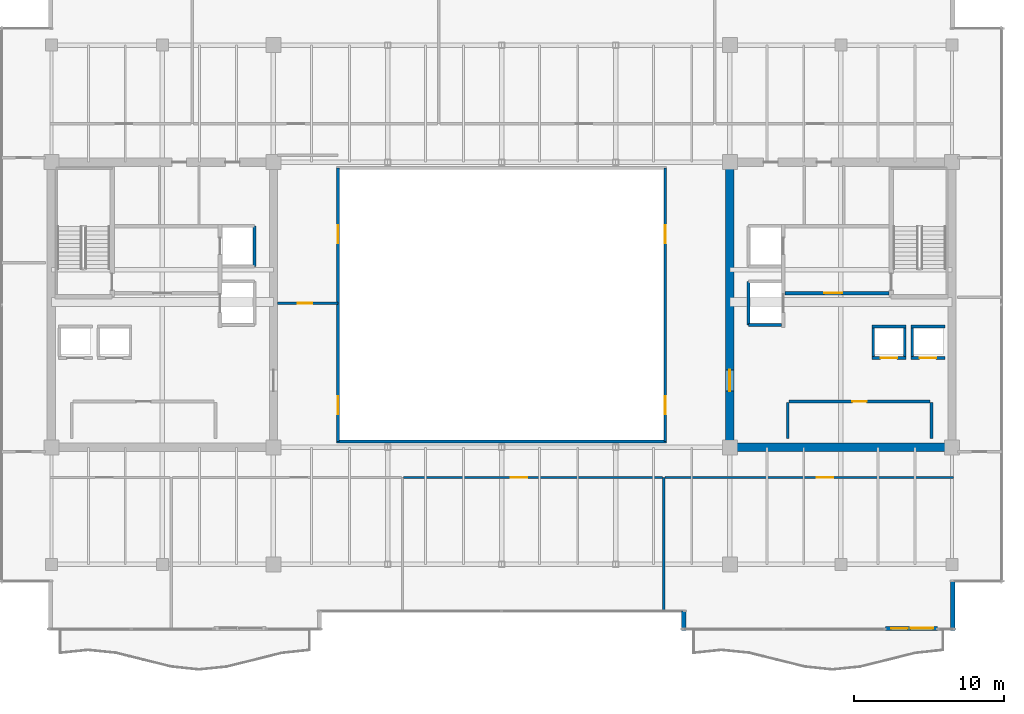
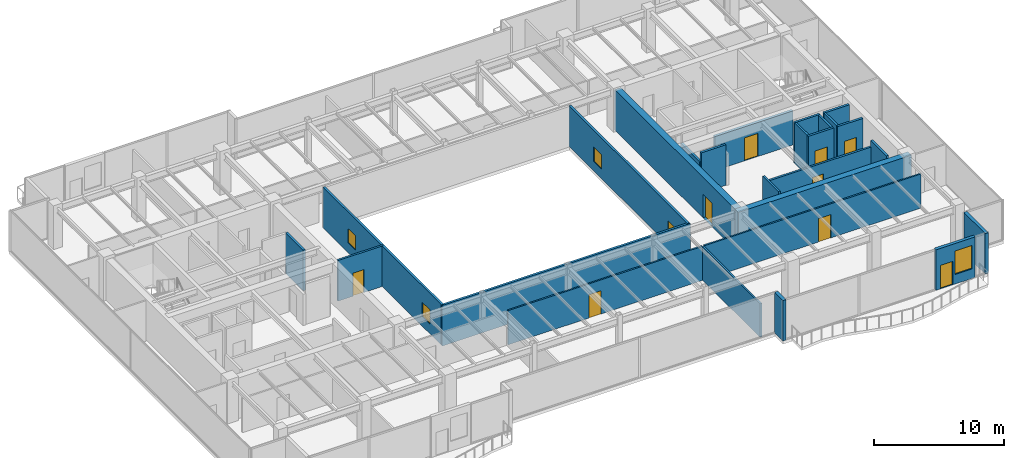
# One storey, part 29 of 34: 26 walls, 9 doors, 5 windows, 14 openings.
"""IFC4 building model written with IfcOpenShell, lengths in metres."""

from ifc_helpers import new_model, si_unit, direction, frame, frame_2d, origin, place, context, subcontext, project, spatial, rectangle, extrude, source, transform, mapped, material, layer, layer_set, type_object, type_shapes, element, fill, save


model = new_model("IFC4")

# Units and contexts
model_context = context("Model", 3, precision=1e-05, world=origin(), true_north=direction((0.0, 1.0)))
body_context = subcontext(model_context, "Body", "Model", "MODEL_VIEW")
ifc_project = project(units=[si_unit("LENGTHUNIT", "METRE"), si_unit("AREAUNIT", "SQUARE_METRE"), si_unit("VOLUMEUNIT", "CUBIC_METRE"), si_unit("PLANEANGLEUNIT", "RADIAN"), si_unit("MASSUNIT", "GRAM", prefix="KILO")], contexts=[model_context])

# Site, building, storey
site_placement = place(None, origin())
site = spatial("IfcSite", under=ifc_project, at=site_placement, CompositionType="ELEMENT")
building_placement = place(site_placement, origin())
building = spatial("IfcBuilding", under=site, at=building_placement, Name="Haelvirn Gate Laboratories", CompositionType="ELEMENT")
storey_placement = place(building_placement, frame((0.0, 0.0, 246.5)))
storey = spatial("IfcBuildingStorey", under=building, at=storey_placement, Name="L59", CompositionType="ELEMENT", Elevation=246.5)

# Wall, openings, door, window
ifc_material_1 = material(Name="Thermally-broken bronze aluminium rainscreen & mineral wool", Category="aluminium")
ifc_layer_1 = layer(ifc_material_1, 0.280029296875, Name="EW-TERR-280")
ifc_layer_set_1 = layer_set([ifc_layer_1], Name="Thermally-broken bronze aluminium rainscreen & mineral wool")
wall_type_1 = type_object("IfcWallType", Name="EW-TERR-280", PredefinedType="STANDARD", material=ifc_layer_set_1)
wall_1_placement = place(storey_placement, frame((62.971923828125, 2.739990234375, 0.0), z_axis=(0.0, 0.0, 1.0), x_axis=(1.0, 0.0, 0.0)))
wall_1 = element("IfcWall", 1, at=wall_1_placement, inside=storey, type_object=wall_type_1, Name="L59 Terrace Access Wall WB-EL-S", PredefinedType="STANDARD", context=body_context, shape_type="SweptSolid", body=[
    extrude(rectangle(XDim=3.4560546875, YDim=0.280029296875, at=frame_2d((1.72802734375, 0.0))), origin(), (0.0, 0.0, 1.0), 3.800048828125),
])
opening_1_placement = place(wall_1_placement, frame((0.3779296875, 0.0, 0.0)))
opening_1 = element("IfcOpeningElement", 2, at=opening_1_placement, cuts=wall_1, Name="Opening TD1", PredefinedType="OPENING", context=body_context, shape_type="SweptSolid", body=[
    extrude(rectangle(XDim=1.10009765625, YDim=2.199951171875, at=frame_2d((0.550048828125, 1.10009765625))), frame((0.0, 0.14990234375, 0.0), z_axis=(0.0, -1.0, 0.0), x_axis=(1.0, 0.0, 0.0)), (0.0, 0.0, 1.0), 0.300048828125),
])
opening_2_placement = place(wall_1_placement, frame((1.677978515625, 0.0, 0.89990234375)))
opening_2 = element("IfcOpeningElement", 3, at=opening_2_placement, cuts=wall_1, Name="Opening W3", PredefinedType="OPENING", context=body_context, shape_type="SweptSolid", body=[
    extrude(rectangle(XDim=1.5, YDim=2.199951171875, at=frame_2d((0.75, 1.10009765625))), frame((0.0, 0.14990234375, 0.0), z_axis=(0.0, -1.0, 0.0), x_axis=(1.0, 0.0, 0.0)), (0.0, 0.0, 1.0), 0.300048828125),
])
ifc_material_2 = material(Name="Thermally-broken bronze aluminium glazed terrace door", Category="aluminium")
door_type_1 = type_object("IfcDoorType", Name="DR-TERR-1100", OperationType="NOTDEFINED", PredefinedType="DOOR", material=ifc_material_2)
shared_shape_1 = source(origin(), body_context, "Body", "SweptSolid", [
    extrude(rectangle(XDim=1.10009765625, YDim=2.199951171875, at=frame_2d((0.550048828125, 1.10009765625))), frame((0.0, 0.02490234375, 0.0), z_axis=(0.0, -1.0, 0.0), x_axis=(1.0, 0.0, 0.0)), (0.0, 0.0, 1.0), 0.050048828125),
])
type_shapes(door_type_1, [shared_shape_1])
door_1_placement = place(opening_1_placement, origin())
door_1 = element("IfcDoor", 4, at=door_1_placement, inside=storey, type_object=door_type_1, Name="L59 Terrace Access Door WB-EL-S", OperationType="SINGLE_SWING_LEFT", OverallHeight=2.199951171875, OverallWidth=1.10009765625, PredefinedType="DOOR", context=body_context, shape_type="MappedRepresentation", body=[
    mapped(shared_shape_1, transform((0.0, 0.0, 0.0), scale=1.0)),
])
fill(opening_1, door_1)
ifc_material_3 = material(Name="Bronze anodised aluminium & triple low-E glass", Category="aluminium")
window_type_1 = type_object("IfcWindowType", Name="WIN-TERR-1600", PartitioningType="SINGLE_PANEL", PredefinedType="WINDOW", material=ifc_material_3)
shared_shape_2 = source(origin(), body_context, "Body", "SweptSolid", [
    extrude(rectangle(XDim=1.5, YDim=2.199951171875, at=frame_2d((0.75, 1.10009765625))), frame((0.0, 0.030029296875, 0.0), z_axis=(0.0, -1.0, 0.0), x_axis=(1.0, 0.0, 0.0)), (0.0, 0.0, 1.0), 0.06005859375),
])
type_shapes(window_type_1, [shared_shape_2])
window_1_placement = place(opening_2_placement, origin())
window_1 = element("IfcWindow", 5, at=window_1_placement, inside=storey, type_object=window_type_1, Name="L59 Terrace Vision Window WB-EL-S", OverallHeight=2.199951171875, OverallWidth=1.5, PartitioningType="SINGLE_PANEL", PredefinedType="WINDOW", context=body_context, shape_type="MappedRepresentation", body=[
    mapped(shared_shape_2, transform((0.0, 0.0, 0.0), scale=1.0)),
])
fill(opening_2, window_1)

# Walls
wall_2_placement = place(storey_placement, frame((49.5400390625, 3.89306640625, 0.0), z_axis=(0.0, 0.0, 1.0), x_axis=(0.0, -1.0, 0.0)))
element("IfcWall", 6, at=wall_2_placement, inside=storey, type_object=wall_type_1, Name="L59 Atrium Recess Bronze Return Wall 03", PredefinedType="STANDARD", context=body_context, shape_type="SweptSolid", body=[
    extrude(rectangle(XDim=1.29296875, YDim=0.280029296875, at=frame_2d((0.646484375, 0.0))), origin(), (0.0, 0.0, 1.0), 3.800048828125),
])
wall_3_placement = place(storey_placement, frame((67.4599609375, 2.60009765625, 0.0), z_axis=(0.0, 0.0, 1.0), x_axis=(0.0, 1.0, 0.0)))
element("IfcWall", 7, at=wall_3_placement, inside=storey, type_object=wall_type_1, Name="L59 Atrium Recess Bronze Return Wall 05", PredefinedType="STANDARD", context=body_context, shape_type="SweptSolid", body=[
    extrude(rectangle(XDim=3.287841796875, YDim=0.280029296875, at=frame_2d((1.64404296875, 0.0))), origin(), (0.0, 0.0, 1.0), 3.800048828125),
])
ifc_material_4 = material(Name="Double-layer acoustic gypsum laboratory partition", Category="gypsum")
ifc_layer_2 = layer(ifc_material_4, 0.159912109375, Name="IW-ACOUST-160")
ifc_layer_set_2 = layer_set([ifc_layer_2], Name="Double-layer acoustic gypsum laboratory partition")
wall_type_2 = type_object("IfcWallType", Name="IW-ACOUST-160", PredefinedType="PARTITIONING", material=ifc_layer_set_2)
wall_4_placement = place(storey_placement, frame((48.199951171875, 3.909912109375, 0.0), z_axis=(0.0, 0.0, 1.0), x_axis=(0.0, 1.0, 0.0)))
element("IfcWall", 8, at=wall_4_placement, inside=storey, type_object=wall_type_2, Name="L59 Interior Wall IW-L59-SDIV-03", PredefinedType="PARTITIONING", context=body_context, shape_type="SweptSolid", body=[
    extrude(rectangle(XDim=8.880126953125, YDim=0.159912109375, at=frame_2d((4.43994140625, 0.0))), origin(), (0.0, 0.0, 1.0), 3.135009765625),
])

# Wall, opening, door
ifc_material_5 = material(Name="Fire-rated acoustic gypsum board partition", Category="gypsum")
ifc_layer_3 = layer(ifc_material_5, 0.175048828125, Name="IW-ACOUST-180")
ifc_layer_set_3 = layer_set([ifc_layer_3], Name="Fire-rated acoustic gypsum board partition")
wall_type_3 = type_object("IfcWallType", Name="IW-ACOUST-180", PredefinedType="PARTITIONING", material=ifc_layer_set_3)
wall_5_placement = place(storey_placement, frame((22.47509765625, 24.39990234375, 0.0), z_axis=(0.0, 0.0, 1.0), x_axis=(1.0, 0.0, 0.0)))
wall_5 = element("IfcWall", 9, at=wall_5_placement, inside=storey, type_object=wall_type_3, Name="L59 Interior Wall IW-L59-WPOD-S", PredefinedType="PARTITIONING", context=body_context, shape_type="SweptSolid", body=[
    extrude(rectangle(XDim=4.02490234375, YDim=0.175048828125, at=frame_2d((2.012451171875, 0.0))), origin(), (0.0, 0.0, 1.0), 3.800048828125),
])
opening_3_placement = place(wall_5_placement, frame((1.35009765625, 0.0, 0.0)))
opening_3 = element("IfcOpeningElement", 10, at=opening_3_placement, cuts=wall_5, Name="Opening FD4", PredefinedType="OPENING", context=body_context, shape_type="SweptSolid", body=[
    extrude(rectangle(XDim=0.949951171875, YDim=2.14990234375, at=frame_2d((0.47509765625, 1.074951171875))), frame((0.0, 0.09765625, 0.0), z_axis=(0.0, -1.0, 0.0), x_axis=(1.0, 0.0, 0.0)), (0.0, 0.0, 1.0), 0.195068359375),
])
ifc_material_6 = material(Name="Fire-rated steel SM355 core service door", Category="steel")
door_type_2 = type_object("IfcDoorType", Name="DR-FD-950", OperationType="NOTDEFINED", PredefinedType="DOOR", material=ifc_material_6)
shared_shape_3 = source(origin(), body_context, "Body", "SweptSolid", [
    extrude(rectangle(XDim=0.949951171875, YDim=2.14990234375, at=frame_2d((0.47509765625, 1.074951171875))), frame((0.0, 0.02490234375, 0.0), z_axis=(0.0, -1.0, 0.0), x_axis=(1.0, 0.0, 0.0)), (0.0, 0.0, 1.0), 0.050048828125),
])
type_shapes(door_type_2, [shared_shape_3])
door_2_placement = place(opening_3_placement, origin())
door_2 = element("IfcDoor", 11, at=door_2_placement, inside=storey, type_object=door_type_2, Name="L59 High-Zone Computational Suite Door", OperationType="SINGLE_SWING_RIGHT", OverallHeight=2.14990234375, OverallWidth=0.949951171875, PredefinedType="DOOR", context=body_context, shape_type="MappedRepresentation", body=[
    mapped(shared_shape_3, transform((0.0, 0.0, 0.0), scale=1.0)),
])
fill(opening_3, door_2)

# Wall, openings, windows
ifc_material_7 = material(Name="Tempered fire-rated borosilicate glass & anodised aluminium", Category="aluminium")
ifc_layer_4 = layer(ifc_material_7, 0.195068359375, Name="IW-GLAZ-200")
ifc_layer_set_4 = layer_set([ifc_layer_4], Name="Tempered fire-rated borosilicate glass & anodised aluminium")
wall_type_4 = type_object("IfcWallType", Name="IW-GLAZ-200", PredefinedType="SOLIDWALL", material=ifc_layer_set_4)
wall_6_placement = place(storey_placement, frame((26.5, 15.199951171875, 0.0), z_axis=(0.0, 0.0, 1.0), x_axis=(0.0, 1.0, 0.0)))
wall_6 = element("IfcWall", 12, at=wall_6_placement, inside=storey, type_object=wall_type_4, Name="L59 Interior Wall IW-L59-ATRIUM-W", PredefinedType="SOLIDWALL", context=body_context, shape_type="SweptSolid", body=[
    extrude(rectangle(XDim=18.199951171875, YDim=0.195068359375, at=frame_2d((9.10009765625, 0.0))), origin(), (0.0, 0.0, 1.0), 3.800048828125),
])
opening_4_placement = place(wall_6_placement, frame((1.800048828125, 0.0, 0.89990234375)))
opening_4 = element("IfcOpeningElement", 13, at=opening_4_placement, cuts=wall_6, Name="Opening W6", PredefinedType="OPENING", context=body_context, shape_type="SweptSolid", body=[
    extrude(rectangle(XDim=1.199951171875, YDim=1.35009765625, at=frame_2d((0.60009765625, 0.675048828125))), frame((0.0, 0.107421875, 0.0), z_axis=(0.0, -1.0, 0.0), x_axis=(1.0, 0.0, 0.0)), (0.0, 0.0, 1.0), 0.215087890625),
])
opening_5_placement = place(wall_6_placement, frame((13.199951171875, 0.0, 0.89990234375)))
opening_5 = element("IfcOpeningElement", 14, at=opening_5_placement, cuts=wall_6, Name="Opening W6", PredefinedType="OPENING", context=body_context, shape_type="SweptSolid", body=[
    extrude(rectangle(XDim=1.199951171875, YDim=1.35009765625, at=frame_2d((0.60009765625, 0.675048828125))), frame((0.0, 0.107421875, 0.0), z_axis=(0.0, -1.0, 0.0), x_axis=(1.0, 0.0, 0.0)), (0.0, 0.0, 1.0), 0.215087890625),
])
ifc_material_8 = material(Name="Fire-rated EI 120 borosilicate atrium vision glazing", Category="glass")
window_type_2 = type_object("IfcWindowType", Name="WN-ATR-1200", PartitioningType="SINGLE_PANEL", PredefinedType="WINDOW", material=ifc_material_8)
shared_shape_4 = source(origin(), body_context, "Body", "SweptSolid", [
    extrude(rectangle(XDim=1.199951171875, YDim=1.35009765625, at=frame_2d((0.60009765625, 0.675048828125))), frame((0.0, 0.030029296875, 0.0), z_axis=(0.0, -1.0, 0.0), x_axis=(1.0, 0.0, 0.0)), (0.0, 0.0, 1.0), 0.06005859375),
])
type_shapes(window_type_2, [shared_shape_4])
window_2_placement = place(opening_4_placement, origin())
window_2 = element("IfcWindow", 15, at=window_2_placement, inside=storey, type_object=window_type_2, Name="L59 Atrium Observation Window 1", OverallHeight=1.35009765625, OverallWidth=1.199951171875, PartitioningType="SINGLE_PANEL", PredefinedType="WINDOW", context=body_context, shape_type="MappedRepresentation", body=[
    mapped(shared_shape_4, transform((0.0, 0.0, 0.0), scale=1.0)),
])
fill(opening_4, window_2)
window_3_placement = place(opening_5_placement, origin())
window_3 = element("IfcWindow", 16, at=window_3_placement, inside=storey, type_object=window_type_2, Name="L59 Atrium Observation Window 2", OverallHeight=1.35009765625, OverallWidth=1.199951171875, PartitioningType="SINGLE_PANEL", PredefinedType="WINDOW", context=body_context, shape_type="MappedRepresentation", body=[
    mapped(shared_shape_4, transform((0.0, 0.0, 0.0), scale=1.0)),
])
fill(opening_5, window_3)

wall_7_placement = place(storey_placement, frame((48.300048828125, 15.199951171875, 0.0), z_axis=(0.0, 0.0, 1.0), x_axis=(0.0, 1.0, 0.0)))
wall_7 = element("IfcWall", 17, at=wall_7_placement, inside=storey, type_object=wall_type_4, Name="L59 Interior Wall IW-L59-ATRIUM-E", PredefinedType="SOLIDWALL", context=body_context, shape_type="SweptSolid", body=[
    extrude(rectangle(XDim=18.199951171875, YDim=0.195068359375, at=frame_2d((9.10009765625, 0.0))), origin(), (0.0, 0.0, 1.0), 3.800048828125),
])
opening_6_placement = place(wall_7_placement, frame((1.800048828125, 0.0, 0.89990234375)))
opening_6 = element("IfcOpeningElement", 18, at=opening_6_placement, cuts=wall_7, Name="Opening W6", PredefinedType="OPENING", context=body_context, shape_type="SweptSolid", body=[
    extrude(rectangle(XDim=1.199951171875, YDim=1.35009765625, at=frame_2d((0.60009765625, 0.675048828125))), frame((0.0, 0.107421875, 0.0), z_axis=(0.0, -1.0, 0.0), x_axis=(1.0, 0.0, 0.0)), (0.0, 0.0, 1.0), 0.215087890625),
])
opening_7_placement = place(wall_7_placement, frame((13.199951171875, 0.0, 0.89990234375)))
opening_7 = element("IfcOpeningElement", 19, at=opening_7_placement, cuts=wall_7, Name="Opening W6", PredefinedType="OPENING", context=body_context, shape_type="SweptSolid", body=[
    extrude(rectangle(XDim=1.199951171875, YDim=1.35009765625, at=frame_2d((0.60009765625, 0.675048828125))), frame((0.0, 0.107421875, 0.0), z_axis=(0.0, -1.0, 0.0), x_axis=(1.0, 0.0, 0.0)), (0.0, 0.0, 1.0), 0.215087890625),
])
window_4_placement = place(opening_6_placement, origin())
window_4 = element("IfcWindow", 20, at=window_4_placement, inside=storey, type_object=window_type_2, Name="L59 Atrium Observation Window 1", OverallHeight=1.35009765625, OverallWidth=1.199951171875, PartitioningType="SINGLE_PANEL", PredefinedType="WINDOW", context=body_context, shape_type="MappedRepresentation", body=[
    mapped(shared_shape_4, transform((0.0, 0.0, 0.0), scale=1.0)),
])
fill(opening_6, window_4)
window_5_placement = place(opening_7_placement, origin())
window_5 = element("IfcWindow", 21, at=window_5_placement, inside=storey, type_object=window_type_2, Name="L59 Atrium Observation Window 2", OverallHeight=1.35009765625, OverallWidth=1.199951171875, PartitioningType="SINGLE_PANEL", PredefinedType="WINDOW", context=body_context, shape_type="MappedRepresentation", body=[
    mapped(shared_shape_4, transform((0.0, 0.0, 0.0), scale=1.0)),
])
fill(opening_7, window_5)

# Wall
wall_8_placement = place(storey_placement, frame((26.39990234375, 15.199951171875, 0.0), z_axis=(0.0, 0.0, 1.0), x_axis=(1.0, 0.0, 0.0)))
element("IfcWall", 22, at=wall_8_placement, inside=storey, type_object=wall_type_4, Name="L59 Interior Wall IW-L59-ATRIUM-S", PredefinedType="SOLIDWALL", context=body_context, shape_type="SweptSolid", body=[
    extrude(rectangle(XDim=22.0, YDim=0.195068359375, at=frame_2d((11.0, 0.0))), origin(), (0.0, 0.0, 1.0), 3.800048828125),
])

# Wall, opening, door
ifc_material_9 = material(Name="Acoustic mineral-wool gypsum board partition", Category="gypsum")
ifc_layer_5 = layer(ifc_material_9, 0.139892578125, Name="IW-PART-140")
ifc_layer_set_5 = layer_set([ifc_layer_5], Name="Acoustic mineral-wool gypsum board partition")
wall_type_5 = type_object("IfcWallType", Name="IW-PART-140", PredefinedType="PARTITIONING", material=ifc_layer_set_5)
wall_9_placement = place(storey_placement, frame((30.8798828125, 12.7900390625, 0.0), z_axis=(0.0, 0.0, 1.0), x_axis=(1.0, 0.0, 0.0)))
wall_9 = element("IfcWall", 23, at=wall_9_placement, inside=storey, type_object=wall_type_5, Name="L59 Interior Wall IW-L59-SCORR-03", PredefinedType="PARTITIONING", context=body_context, shape_type="SweptSolid", body=[
    extrude(rectangle(XDim=17.240234375, YDim=0.139892578125, at=frame_2d((8.6201171875, 0.0))), origin(), (0.0, 0.0, 1.0), 3.197021484375),
])
opening_8_placement = place(wall_9_placement, frame((7.1435546875, 0.0, 0.0)))
opening_8 = element("IfcOpeningElement", 24, at=opening_8_placement, cuts=wall_9, Name="Opening D1", PredefinedType="OPENING", context=body_context, shape_type="SweptSolid", body=[
    extrude(rectangle(XDim=1.10009765625, YDim=2.179931640625, at=frame_2d((0.550048828125, 1.08984375))), frame((0.0, 0.080078125, 0.0), z_axis=(0.0, -1.0, 0.0), x_axis=(1.0, 0.0, 0.0)), (0.0, 0.0, 1.0), 0.159912109375),
])
ifc_material_10 = material(Name="Vision-panel acoustic solid-core timber lab door", Category="wood")
door_type_3 = type_object("IfcDoorType", Name="DR-LAB-1100", OperationType="NOTDEFINED", PredefinedType="DOOR", material=ifc_material_10)
shared_shape_5 = source(origin(), body_context, "Body", "SweptSolid", [
    extrude(rectangle(XDim=1.10009765625, YDim=2.179931640625, at=frame_2d((0.550048828125, 1.08984375))), frame((0.0, 0.02490234375, 0.0), z_axis=(0.0, -1.0, 0.0), x_axis=(1.0, 0.0, 0.0)), (0.0, 0.0, 1.0), 0.050048828125),
])
type_shapes(door_type_3, [shared_shape_5])
door_3_placement = place(opening_8_placement, origin())
door_3 = element("IfcDoor", 25, at=door_3_placement, inside=storey, type_object=door_type_3, Name="L59 Bioinformatics Dry-Lab Workspace Door S3", OperationType="SINGLE_SWING_RIGHT", OverallHeight=2.179931640625, OverallWidth=1.10009765625, PredefinedType="DOOR", context=body_context, shape_type="MappedRepresentation", body=[
    mapped(shared_shape_5, transform((0.0, 0.0, 0.0), scale=1.0)),
])
fill(opening_8, door_3)

wall_10_placement = place(storey_placement, frame((48.280029296875, 12.7900390625, 0.0), z_axis=(0.0, 0.0, 1.0), x_axis=(1.0, 0.0, 0.0)))
wall_10 = element("IfcWall", 26, at=wall_10_placement, inside=storey, type_object=wall_type_5, Name="L59 Interior Wall IW-L59-SCORR-04", PredefinedType="PARTITIONING", context=body_context, shape_type="SweptSolid", body=[
    extrude(rectangle(XDim=19.2099609375, YDim=0.139892578125, at=frame_2d((9.60498046875, 0.0))), origin(), (0.0, 0.0, 1.0), 3.197021484375),
])
opening_9_placement = place(wall_10_placement, frame((10.099609375, 0.0, 0.0)))
opening_9 = element("IfcOpeningElement", 27, at=opening_9_placement, cuts=wall_10, Name="Opening D1", PredefinedType="OPENING", context=body_context, shape_type="SweptSolid", body=[
    extrude(rectangle(XDim=1.10009765625, YDim=2.179931640625, at=frame_2d((0.550048828125, 1.08984375))), frame((0.0, 0.080078125, 0.0), z_axis=(0.0, -1.0, 0.0), x_axis=(1.0, 0.0, 0.0)), (0.0, 0.0, 1.0), 0.159912109375),
])
door_4_placement = place(opening_9_placement, origin())
door_4 = element("IfcDoor", 28, at=door_4_placement, inside=storey, type_object=door_type_3, Name="L59 Translational Data Office Door S4", OperationType="SINGLE_SWING_LEFT", OverallHeight=2.179931640625, OverallWidth=1.10009765625, PredefinedType="DOOR", context=body_context, shape_type="MappedRepresentation", body=[
    mapped(shared_shape_5, transform((0.0, 0.0, 0.0), scale=1.0)),
])
fill(opening_9, door_4)

# Walls
ifc_material_11 = material(Name="Concrete C40/50", Category="concrete")
ifc_layer_6 = layer(ifc_material_11, 0.179931640625, Name="IW-SHAFT-180")
ifc_layer_set_6 = layer_set([ifc_layer_6], Name="Concrete C40/50")
wall_type_6 = type_object("IfcWallType", Name="IW-SHAFT-180", PredefinedType="SOLIDWALL", material=ifc_layer_set_6)
for number, where, z_axis, x_axis, name in (
    (29, (64.75, 20.85009765625, 0.0), (0.0, 0.0, 1.0), (0.0, 1.0, 0.0), "L59 Interior Wall IW-L59-PL11-SD"),
    (30, (62.14990234375, 20.85009765625, 0.0), (0.0, 0.0, 1.0), (0.0, 1.0, 0.0), "L59 Interior Wall IW-L59-PL12-SD"),
    (31, (64.25, 20.85009765625, 0.0), (0.0, 0.0, 1.0), (0.0, 1.0, 0.0), "L59 Interior Wall IW-L59-PL12-SDE"),
):
    element("IfcWall", number, at=place(storey_placement, frame(where, z_axis=z_axis, x_axis=x_axis)), inside=storey, type_object=wall_type_6, Name=name, PredefinedType="SOLIDWALL", context=body_context, shape_type="SweptSolid", body=[
        extrude(rectangle(XDim=1.89990234375, YDim=0.179931640625, at=frame_2d((0.949951171875, 0.0))), origin(), (0.0, 0.0, 1.0), 3.800048828125),
    ])

# Wall, opening, door
wall_11_placement = place(storey_placement, frame((56.550048828125, 17.85009765625, 0.0), z_axis=(0.0, 0.0, 1.0), x_axis=(1.0, 0.0, 0.0)))
wall_11 = element("IfcWall", 32, at=wall_11_placement, inside=storey, type_object=wall_type_6, Name="L59 Interior Wall IW-L59-E-FREED-HN-1", PredefinedType="SOLIDWALL", context=body_context, shape_type="SweptSolid", body=[
    extrude(rectangle(XDim=9.39990234375, YDim=0.179931640625, at=frame_2d((4.699951171875, 0.0))), origin(), (0.0, 0.0, 1.0), 3.197021484375),
])
opening_10_placement = place(wall_11_placement, frame((4.22509765625, 0.0, 0.0)))
opening_10 = element("IfcOpeningElement", 33, at=opening_10_placement, cuts=wall_11, Name="Opening FD4", PredefinedType="OPENING", context=body_context, shape_type="SweptSolid", body=[
    extrude(rectangle(XDim=0.949951171875, YDim=2.14990234375, at=frame_2d((0.47509765625, 1.074951171875))), frame((0.0, 0.10009765625, 0.0), z_axis=(0.0, -1.0, 0.0), x_axis=(1.0, 0.0, 0.0)), (0.0, 0.0, 1.0), 0.199951171875),
])
door_5_placement = place(opening_10_placement, origin())
door_5 = element("IfcDoor", 34, at=door_5_placement, inside=storey, type_object=door_type_2, Name="L59 Core Metrology & Calibration Laboratory Door", OperationType="SINGLE_SWING_LEFT", OverallHeight=2.14990234375, OverallWidth=0.949951171875, PredefinedType="DOOR", context=body_context, shape_type="MappedRepresentation", body=[
    mapped(shared_shape_3, transform((0.0, 0.0, 0.0), scale=1.0)),
])
fill(opening_10, door_5)

# Walls
for number, where, z_axis, x_axis, name in (
    (35, (56.4599609375, 15.39990234375, 0.0), (0.0, 0.0, 1.0), (0.0, 1.0, 0.0), "L59 Interior Wall IW-L59-E-FREED-HE-1"),
    (36, (66.0400390625, 15.39990234375, 0.0), (0.0, 0.0, 1.0), (0.0, 1.0, 0.0), "L59 Interior Wall IW-L59-E-FREED-HW-1"),
):
    element("IfcWall", number, at=place(storey_placement, frame(where, z_axis=z_axis, x_axis=x_axis)), inside=storey, type_object=wall_type_6, Name=name, PredefinedType="SOLIDWALL", context=body_context, shape_type="SweptSolid", body=[
        extrude(rectangle(XDim=2.400146484375, YDim=0.179931640625, at=frame_2d((1.2001953125, 0.0))), origin(), (0.0, 0.0, 1.0), 3.800048828125),
    ])
ifc_layer_7 = layer(ifc_material_11, 0.199951171875, Name="IW-SHAFT-200")
ifc_layer_set_7 = layer_set([ifc_layer_7], Name="Concrete C40/50")
wall_type_7 = type_object("IfcWallType", Name="IW-SHAFT-200", PredefinedType="SOLIDWALL", material=ifc_layer_set_7)
wall_12_placement = place(storey_placement, frame((20.949951171875, 26.85009765625, 0.0), z_axis=(0.0, 0.0, 1.0), x_axis=(0.0, 1.0, 0.0)))
element("IfcWall", 37, at=wall_12_placement, inside=storey, type_object=wall_type_7, Name="L59 Interior Wall IW-L59-FL1-BK", PredefinedType="SOLIDWALL", context=body_context, shape_type="SweptSolid", body=[
    extrude(rectangle(XDim=2.699951171875, YDim=0.199951171875, at=frame_2d((1.35009765625, 0.0))), origin(), (0.0, 0.0, 1.0), 3.800048828125),
])

# Wall, opening, door
wall_13_placement = place(storey_placement, frame((64.669921875, 20.75, 0.0), z_axis=(0.0, 0.0, 1.0), x_axis=(1.0, 0.0, 0.0)))
wall_13 = element("IfcWall", 38, at=wall_13_placement, inside=storey, type_object=wall_type_7, Name="L59 Interior Wall IW-L59-PL11-FR", PredefinedType="SOLIDWALL", context=body_context, shape_type="SweptSolid", body=[
    extrude(rectangle(XDim=2.260009765625, YDim=0.199951171875, at=frame_2d((1.1298828125, 0.0))), origin(), (0.0, 0.0, 1.0), 3.800048828125),
])
opening_11_placement = place(wall_13_placement, frame((0.580078125, 0.0, 0.0)))
opening_11 = element("IfcOpeningElement", 39, at=opening_11_placement, cuts=wall_13, Name="Opening LD2", PredefinedType="OPENING", context=body_context, shape_type="SweptSolid", body=[
    extrude(rectangle(XDim=1.10009765625, YDim=2.219970703125, at=frame_2d((0.550048828125, 1.10986328125))), frame((0.0, 0.10986328125, 0.0), z_axis=(0.0, -1.0, 0.0), x_axis=(1.0, 0.0, 0.0)), (0.0, 0.0, 1.0), 0.219970703125),
])
ifc_material_12 = material(Name="Bronze stainless 316L sliding lift landing door")
door_type_4 = type_object("IfcDoorType", Name="DR-LD-1100", OperationType="NOTDEFINED", PredefinedType="USERDEFINED", material=ifc_material_12)
shared_shape_6 = source(origin(), body_context, "Body", "SweptSolid", [
    extrude(rectangle(XDim=1.10009765625, YDim=2.219970703125, at=frame_2d((0.550048828125, 1.10986328125))), frame((0.0, 0.02490234375, 0.0), z_axis=(0.0, -1.0, 0.0), x_axis=(1.0, 0.0, 0.0)), (0.0, 0.0, 1.0), 0.050048828125),
])
type_shapes(door_type_4, [shared_shape_6])
door_6_placement = place(opening_11_placement, origin())
door_6 = element("IfcDoor", 40, at=door_6_placement, inside=storey, type_object=door_type_4, Name="L59 Passenger Lift PL11 Landing Door", ObjectType="LANDING_DOOR", OperationType="SLIDING_TO_LEFT", OverallHeight=2.219970703125, OverallWidth=1.10009765625, PredefinedType="USERDEFINED", context=body_context, shape_type="MappedRepresentation", body=[
    mapped(shared_shape_6, transform((0.0, 0.0, 0.0), scale=1.0)),
])
fill(opening_11, door_6)

# Wall
wall_14_placement = place(storey_placement, frame((64.669921875, 22.85009765625, 0.0), z_axis=(0.0, 0.0, 1.0), x_axis=(1.0, 0.0, 0.0)))
element("IfcWall", 41, at=wall_14_placement, inside=storey, type_object=wall_type_7, Name="L59 Interior Wall IW-L59-PL11-BK", PredefinedType="SOLIDWALL", context=body_context, shape_type="SweptSolid", body=[
    extrude(rectangle(XDim=2.260009765625, YDim=0.199951171875, at=frame_2d((1.1298828125, 0.0))), origin(), (0.0, 0.0, 1.0), 3.800048828125),
])

# Wall, opening, door
wall_15_placement = place(storey_placement, frame((62.070068359375, 20.75, 0.0), z_axis=(0.0, 0.0, 1.0), x_axis=(1.0, 0.0, 0.0)))
wall_15 = element("IfcWall", 42, at=wall_15_placement, inside=storey, type_object=wall_type_7, Name="L59 Interior Wall IW-L59-PL12-FR", PredefinedType="SOLIDWALL", context=body_context, shape_type="SweptSolid", body=[
    extrude(rectangle(XDim=2.260009765625, YDim=0.199951171875, at=frame_2d((1.1298828125, 0.0))), origin(), (0.0, 0.0, 1.0), 3.800048828125),
])
opening_12_placement = place(wall_15_placement, frame((0.580078125, 0.0, 0.0)))
opening_12 = element("IfcOpeningElement", 43, at=opening_12_placement, cuts=wall_15, Name="Opening LD2", PredefinedType="OPENING", context=body_context, shape_type="SweptSolid", body=[
    extrude(rectangle(XDim=1.10009765625, YDim=2.219970703125, at=frame_2d((0.550048828125, 1.10986328125))), frame((0.0, 0.10986328125, 0.0), z_axis=(0.0, -1.0, 0.0), x_axis=(1.0, 0.0, 0.0)), (0.0, 0.0, 1.0), 0.219970703125),
])
door_7_placement = place(opening_12_placement, origin())
door_7 = element("IfcDoor", 44, at=door_7_placement, inside=storey, type_object=door_type_4, Name="L59 Passenger Lift PL12 Landing Door", ObjectType="LANDING_DOOR", OperationType="SLIDING_TO_RIGHT", OverallHeight=2.219970703125, OverallWidth=1.10009765625, PredefinedType="USERDEFINED", context=body_context, shape_type="MappedRepresentation", body=[
    mapped(shared_shape_6, transform((0.0, 0.0, 0.0), scale=1.0)),
])
fill(opening_12, door_7)

# Walls
wall_16_placement = place(storey_placement, frame((62.070068359375, 22.85009765625, 0.0), z_axis=(0.0, 0.0, 1.0), x_axis=(1.0, 0.0, 0.0)))
element("IfcWall", 45, at=wall_16_placement, inside=storey, type_object=wall_type_7, Name="L59 Interior Wall IW-L59-PL12-BK", PredefinedType="SOLIDWALL", context=body_context, shape_type="SweptSolid", body=[
    extrude(rectangle(XDim=2.260009765625, YDim=0.199951171875, at=frame_2d((1.1298828125, 0.0))), origin(), (0.0, 0.0, 1.0), 3.800048828125),
])
wall_17_placement = place(storey_placement, frame((53.85009765625, 22.949951171875, 0.0), z_axis=(0.0, 0.0, 1.0), x_axis=(0.0, 1.0, 0.0)))
element("IfcWall", 46, at=wall_17_placement, inside=storey, type_object=wall_type_7, Name="L59 Interior Wall IW-L59-SL2-BK", PredefinedType="SOLIDWALL", context=body_context, shape_type="SweptSolid", body=[
    extrude(rectangle(XDim=2.900146484375, YDim=0.199951171875, at=frame_2d((1.4501953125, 0.0))), origin(), (0.0, 0.0, 1.0), 2.93505859375),
])
wall_18_placement = place(storey_placement, frame((53.85009765625, 22.949951171875, 0.0), z_axis=(0.0, 0.0, 1.0), x_axis=(1.0, 0.0, 0.0)))
element("IfcWall", 47, at=wall_18_placement, inside=storey, type_object=wall_type_7, Name="L59 Interior Wall IW-L59-SL2-S", PredefinedType="SOLIDWALL", context=body_context, shape_type="SweptSolid", body=[
    extrude(rectangle(XDim=2.18994140625, YDim=0.199951171875, at=frame_2d((1.094970703125, 0.0))), origin(), (0.0, 0.0, 1.0), 3.800048828125),
])

# Wall, opening, door
ifc_layer_8 = layer(ifc_material_11, 0.239990234375, Name="IW-SHAFT-240")
ifc_layer_set_8 = layer_set([ifc_layer_8], Name="Concrete C40/50")
wall_type_8 = type_object("IfcWallType", Name="IW-SHAFT-240", PredefinedType="SOLIDWALL", material=ifc_layer_set_8)
wall_19_placement = place(storey_placement, frame((56.280029296875, 25.080078125, 0.0), z_axis=(0.0, 0.0, 1.0), x_axis=(1.0, 0.0, 0.0)))
wall_19 = element("IfcWall", 48, at=wall_19_placement, inside=storey, type_object=wall_type_8, Name="L59 Interior Wall IW-L59-E-FF-S", PredefinedType="SOLIDWALL", context=body_context, shape_type="SweptSolid", body=[
    extrude(rectangle(XDim=6.919921875, YDim=0.239990234375, at=frame_2d((3.4599609375, 0.0))), origin(), (0.0, 0.0, 1.0), 3.197021484375),
])
opening_13_placement = place(wall_19_placement, frame((2.60009765625, 0.0, 0.0)))
opening_13 = element("IfcOpeningElement", 49, at=opening_13_placement, cuts=wall_19, Name="Opening FD2", PredefinedType="OPENING", context=body_context, shape_type="SweptSolid", body=[
    extrude(rectangle(XDim=1.199951171875, YDim=2.159912109375, at=frame_2d((0.60009765625, 1.080078125))), frame((0.0, 0.1298828125, 0.0), z_axis=(0.0, -1.0, 0.0), x_axis=(1.0, 0.0, 0.0)), (0.0, 0.0, 1.0), 0.260009765625),
])
ifc_material_13 = material(Name="Fire-rated steel SM355 compartment door", Category="steel")
door_type_5 = type_object("IfcDoorType", Name="DR-FD-1200", OperationType="NOTDEFINED", PredefinedType="DOOR", material=ifc_material_13)
shared_shape_7 = source(origin(), body_context, "Body", "SweptSolid", [
    extrude(rectangle(XDim=1.199951171875, YDim=2.159912109375, at=frame_2d((0.60009765625, 1.080078125))), frame((0.0, 0.02490234375, 0.0), z_axis=(0.0, -1.0, 0.0), x_axis=(1.0, 0.0, 0.0)), (0.0, 0.0, 1.0), 0.050048828125),
])
type_shapes(door_type_5, [shared_shape_7])
door_8_placement = place(opening_13_placement, origin())
door_8 = element("IfcDoor", 50, at=door_8_placement, inside=storey, type_object=door_type_5, Name="L59 East Firefighting Lobby Door", OperationType="SINGLE_SWING_LEFT", OverallHeight=2.159912109375, OverallWidth=1.199951171875, PredefinedType="DOOR", context=body_context, shape_type="MappedRepresentation", body=[
    mapped(shared_shape_7, transform((0.0, 0.0, 0.0), scale=1.0)),
])
fill(opening_13, door_8)

# Wall
ifc_material_14 = material(Name="Concrete C50/60", Category="concrete")
ifc_layer_9 = layer(ifc_material_14, 0.550048828125, Name="SW-CORE-550")
ifc_layer_set_9 = layer_set([ifc_layer_9], Name="Concrete C50/60")
wall_type_9 = type_object("IfcWallType", Name="SW-CORE-550", PredefinedType="SHEAR", material=ifc_layer_set_9)
wall_20_placement = place(storey_placement, frame((52.324951171875, 14.800048828125, 0.0), z_axis=(0.0, 0.0, 1.0), x_axis=(1.0, 0.0, 0.0)))
element("IfcWall", 51, at=wall_20_placement, inside=storey, type_object=wall_type_9, Name="L59 E Core Shear Wall S", PredefinedType="SHEAR", context=body_context, shape_type="SweptSolid", body=[
    extrude(rectangle(XDim=15.35009765625, YDim=0.550048828125, at=frame_2d((7.675048828125, 0.0))), origin(), (0.0, 0.0, 1.0), 3.800048828125),
])

# Wall, opening, door
wall_21_placement = place(storey_placement, frame((52.60009765625, 15.074951171875, 0.0), z_axis=(0.0, 0.0, 1.0), x_axis=(0.0, 1.0, 0.0)))
wall_21 = element("IfcWall", 52, at=wall_21_placement, inside=storey, type_object=wall_type_9, Name="L59 E Core Shear Wall W", PredefinedType="SHEAR", context=body_context, shape_type="SweptSolid", body=[
    extrude(rectangle(XDim=18.449951171875, YDim=0.550048828125, at=frame_2d((9.22509765625, 0.0))), origin(), (0.0, 0.0, 1.0), 3.800048828125),
])
opening_14_placement = place(wall_21_placement, frame((3.47509765625, 0.0, 0.0)))
opening_14 = element("IfcOpeningElement", 53, at=opening_14_placement, cuts=wall_21, Name="Opening FD1", PredefinedType="OPENING", context=body_context, shape_type="SweptSolid", body=[
    extrude(rectangle(XDim=1.419921875, YDim=2.199951171875, at=frame_2d((0.7099609375, 1.10009765625))), frame((0.0, 0.28515625, 0.0), z_axis=(0.0, -1.0, 0.0), x_axis=(1.0, 0.0, 0.0)), (0.0, 0.0, 1.0), 0.570068359375),
])
ifc_material_15 = material(Name="Fire-rated double steel SM355 lobby door", Category="steel")
door_type_6 = type_object("IfcDoorType", Name="DR-FD-1400", OperationType="NOTDEFINED", PredefinedType="DOOR", material=ifc_material_15)
shared_shape_8 = source(origin(), body_context, "Body", "SweptSolid", [
    extrude(rectangle(XDim=1.419921875, YDim=2.199951171875, at=frame_2d((0.7099609375, 1.10009765625))), frame((0.0, 0.02490234375, 0.0), z_axis=(0.0, -1.0, 0.0), x_axis=(1.0, 0.0, 0.0)), (0.0, 0.0, 1.0), 0.050048828125),
])
type_shapes(door_type_6, [shared_shape_8])
door_9_placement = place(opening_14_placement, origin())
door_9 = element("IfcDoor", 54, at=door_9_placement, inside=storey, type_object=door_type_6, Name="L59 East Core Lift Lobby Fire Door", OperationType="DOUBLE_DOOR_SINGLE_SWING", OverallHeight=2.199951171875, OverallWidth=1.419921875, PredefinedType="DOOR", context=body_context, shape_type="MappedRepresentation", body=[
    mapped(shared_shape_8, transform((0.0, 0.0, 0.0), scale=1.0)),
])
fill(opening_14, door_9)

save(model, "model.ifc")
